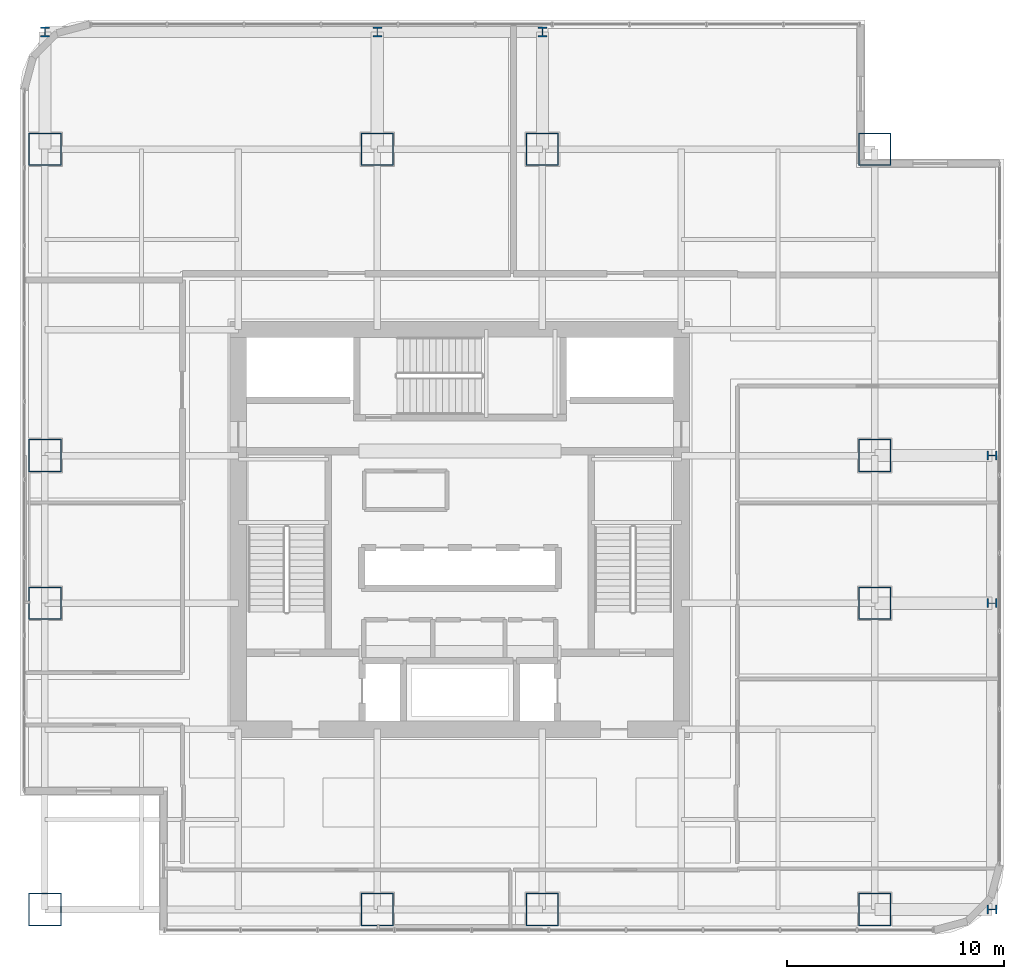
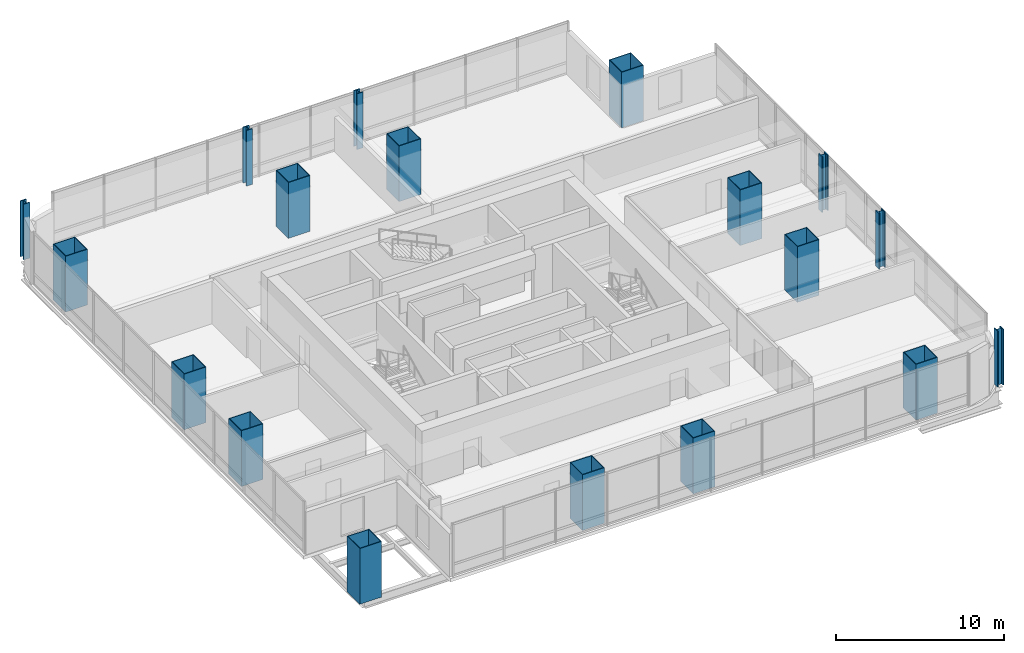
# One storey, part 1 of 35: 18 columns.
"""IFC4 building model written with IfcOpenShell, lengths in metres."""

from ifc_helpers import new_model, si_unit, direction, frame, origin, origin_2d, place, context, subcontext, project, spatial, hollow_rectangle, i_section, extrude, material, material_profile, profile_set, type_object, element, save


model = new_model("IFC4")

# Units and contexts
model_context = context("Model", 3, precision=1e-05, world=origin(), true_north=direction((0.0, 1.0)))
body_context = subcontext(model_context, "Body", "Model", "MODEL_VIEW")
ifc_project = project(units=[si_unit("LENGTHUNIT", "METRE"), si_unit("AREAUNIT", "SQUARE_METRE"), si_unit("VOLUMEUNIT", "CUBIC_METRE"), si_unit("PLANEANGLEUNIT", "RADIAN"), si_unit("MASSUNIT", "GRAM", prefix="KILO")], contexts=[model_context])

# Site, building, storey
site_placement = place(None, origin())
site = spatial("IfcSite", under=ifc_project, at=site_placement, CompositionType="ELEMENT")
building_placement = place(site_placement, origin())
building = spatial("IfcBuilding", under=site, at=building_placement, Name="Punatoya Terracotta Tower", CompositionType="ELEMENT")
storey_placement = place(building_placement, frame((0.0, 0.0, 113.25)))
storey = spatial("IfcBuildingStorey", under=building, at=storey_placement, Name="L26", CompositionType="ELEMENT", Elevation=113.25)

# Columns
ifc_material = material(Name="Steel S460", Category="steel")
ifc_material_profile_1 = material_profile(ifc_material, i_section(OverallWidth=0.416015625, OverallDepth=0.446044921875, WebThickness=0.0390625, FlangeThickness=0.06201171875, FilletRadius=0.01806640625, at=origin_2d()))
ifc_profile_set_1 = profile_set([ifc_material_profile_1], Name="Steel S460")
column_type_1 = type_object("IfcColumnType", Name="COL-EX-M1", PredefinedType="COLUMN", material=ifc_profile_set_1)
for number, where, z_axis, x_axis, name in (
    (1, (-19.10009765625, 22.89990234375, 0.0), (0.0, 0.0, 1.0), (1.0, 0.0, 0.0), "L26 Exoskeleton Perimeter Column N1"),
    (2, (-3.800048828125, 22.89990234375, 0.0), (0.0, 0.0, 1.0), (1.0, 0.0, 0.0), "L26 Exoskeleton Perimeter Column N2"),
    (3, (3.800048828125, 22.89990234375, 0.0), (0.0, 0.0, 1.0), (1.0, 0.0, 0.0), "L26 Exoskeleton Perimeter Column N3"),
    (4, (24.5, -17.5, 0.0), (0.0, 0.0, 1.0), (0.0, 1.0, 0.0), "L26 Exoskeleton Perimeter Column E1"),
    (5, (24.5, -3.39990234375, 0.0), (0.0, 0.0, 1.0), (0.0, 1.0, 0.0), "L26 Exoskeleton Perimeter Column E2"),
    (6, (24.5, 3.39990234375, 0.0), (0.0, 0.0, 1.0), (0.0, 1.0, 0.0), "L26 Exoskeleton Perimeter Column E3"),
):
    element("IfcColumn", number, at=place(storey_placement, frame(where, z_axis=z_axis, x_axis=x_axis)), inside=storey, type_object=column_type_1, Name=name, PredefinedType="COLUMN", context=body_context, shape_type="SweptSolid", body=[
        extrude(i_section(OverallWidth=0.416015625, OverallDepth=0.446044921875, WebThickness=0.0390625, FlangeThickness=0.06201171875, FilletRadius=0.01806640625, at=origin_2d()), origin(), (0.0, 0.0, 1.0), 4.048095703125),
    ])
ifc_material_profile_2 = material_profile(ifc_material, hollow_rectangle(XDim=1.5, YDim=1.5, WallThickness=0.044921875, at=origin_2d()))
ifc_profile_set_2 = profile_set([ifc_material_profile_2], Name="Steel S460")
column_type_2 = type_object("IfcColumnType", Name="COL-MC-Z1", PredefinedType="COLUMN", material=ifc_profile_set_2)
for number, where, z_axis, x_axis, name in (
    (7, (-19.10009765625, -17.5, 0.0), (0.0, 0.0, 1.0), (1.0, 0.0, 0.0), "L26 Composite Mega-Column MC-01 (3-B)"),
    (8, (-3.800048828125, -17.5, 0.0), (0.0, 0.0, 1.0), (1.0, 0.0, 0.0), "L26 Composite Mega-Column MC-02 (5-B)"),
    (9, (3.800048828125, -17.5, 0.0), (0.0, 0.0, 1.0), (1.0, 0.0, 0.0), "L26 Composite Mega-Column MC-03 (7-B)"),
    (10, (19.10009765625, -17.5, 0.0), (0.0, 0.0, 1.0), (1.0, 0.0, 0.0), "L26 Composite Mega-Column MC-04 (9-B)"),
    (11, (19.10009765625, -3.39990234375, 0.0), (0.0, 0.0, 1.0), (1.0, 0.0, 0.0), "L26 Composite Mega-Column MC-05 (9-D)"),
    (12, (19.10009765625, 3.39990234375, 0.0), (0.0, 0.0, 1.0), (1.0, 0.0, 0.0), "L26 Composite Mega-Column MC-06 (9-E)"),
    (13, (19.10009765625, 17.5, 0.0), (0.0, 0.0, 1.0), (1.0, 0.0, 0.0), "L26 Composite Mega-Column MC-07 (9-G)"),
    (14, (3.800048828125, 17.5, 0.0), (0.0, 0.0, 1.0), (1.0, 0.0, 0.0), "L26 Composite Mega-Column MC-08 (7-G)"),
    (15, (-3.800048828125, 17.5, 0.0), (0.0, 0.0, 1.0), (1.0, 0.0, 0.0), "L26 Composite Mega-Column MC-09 (5-G)"),
    (16, (-19.10009765625, 17.5, 0.0), (0.0, 0.0, 1.0), (1.0, 0.0, 0.0), "L26 Composite Mega-Column MC-10 (3-G)"),
    (17, (-19.10009765625, 3.39990234375, 0.0), (0.0, 0.0, 1.0), (1.0, 0.0, 0.0), "L26 Composite Mega-Column MC-11 (3-E)"),
    (18, (-19.10009765625, -3.39990234375, 0.0), (0.0, 0.0, 1.0), (1.0, 0.0, 0.0), "L26 Composite Mega-Column MC-12 (3-D)"),
):
    element("IfcColumn", number, at=place(storey_placement, frame(where, z_axis=z_axis, x_axis=x_axis)), inside=storey, type_object=column_type_2, Name=name, PredefinedType="COLUMN", context=body_context, shape_type="SweptSolid", body=[
        extrude(hollow_rectangle(XDim=1.5, YDim=1.5, WallThickness=0.044921875, at=origin_2d()), origin(), (0.0, 0.0, 1.0), 4.050048828125),
    ])

save(model, "model.ifc")
